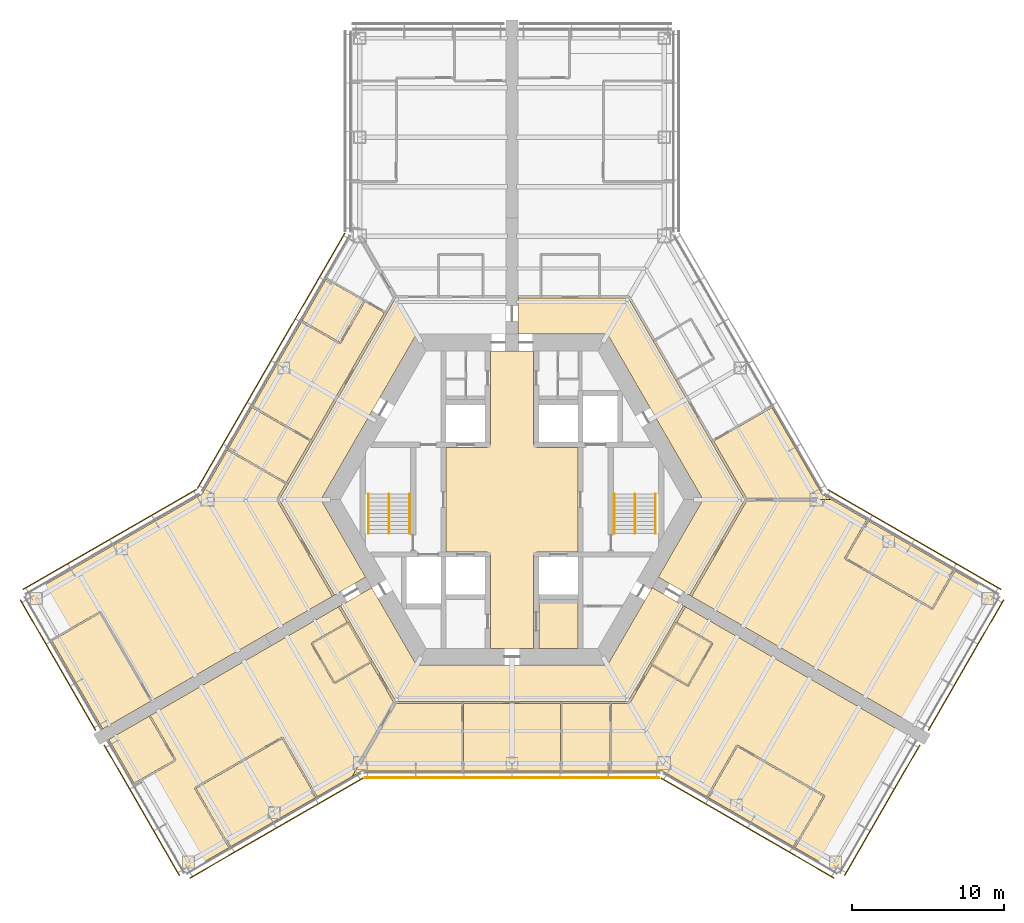
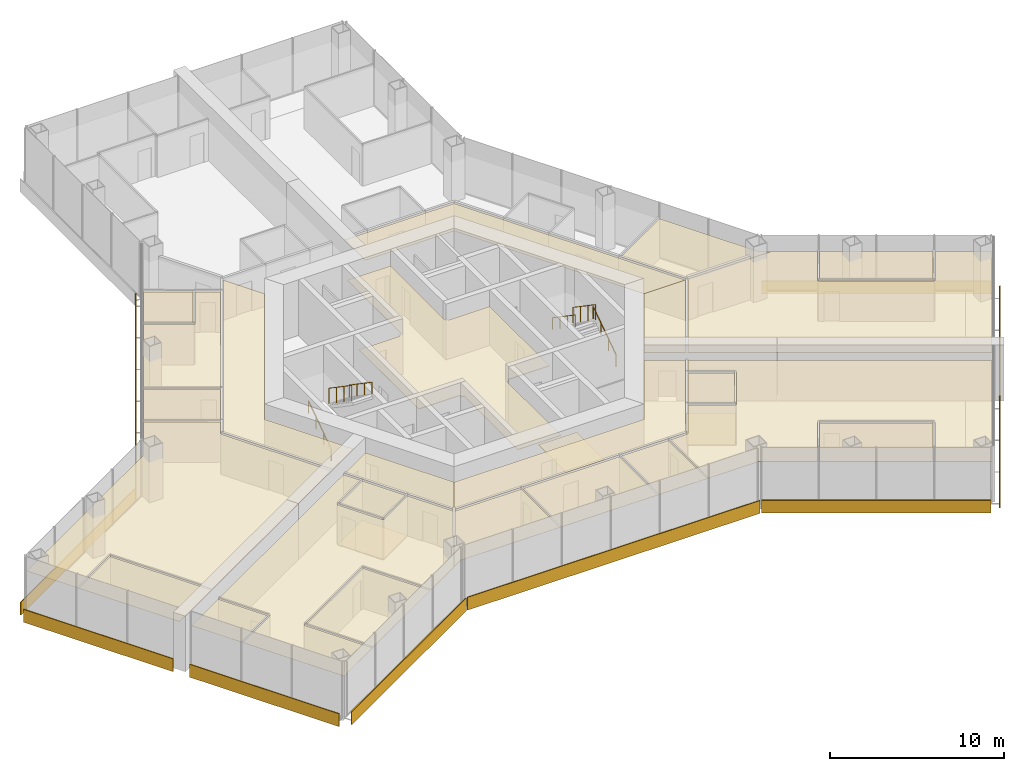
# One storey, part 18 of 19: 27 coverings, 10 shading devices, 6 railings.
"""IFC4 building model written with IfcOpenShell, lengths in metres."""

from ifc_helpers import new_model, si_unit, direction, frame, origin, origin_2d, place, context, subcontext, project, spatial, polyline, rectangle, circle, outline, extrude, material, layer, layer_set, type_object, element, save


model = new_model("IFC4")

# Units and contexts
model_context = context("Model", 3, precision=1e-05, world=origin(), true_north=direction((0.0, 1.0)))
body_context = subcontext(model_context, "Body", "Model", "MODEL_VIEW")
ifc_project = project(units=[si_unit("LENGTHUNIT", "METRE"), si_unit("AREAUNIT", "SQUARE_METRE"), si_unit("VOLUMEUNIT", "CUBIC_METRE"), si_unit("PLANEANGLEUNIT", "RADIAN"), si_unit("MASSUNIT", "GRAM", prefix="KILO")], contexts=[model_context])

# Site, building, storey
site_placement = place(None, origin())
site = spatial("IfcSite", under=ifc_project, at=site_placement, CompositionType="ELEMENT")
building_placement = place(site_placement, origin())
building = spatial("IfcBuilding", under=site, at=building_placement, Name="Kasaneha Research Tower", CompositionType="ELEMENT")
storey_placement = place(building_placement, frame((0.0, 0.0, 88.5)))
storey = spatial("IfcBuildingStorey", under=building, at=storey_placement, Name="L22", CompositionType="ELEMENT", Elevation=88.5)

# Covering
ifc_material_1 = material(Name="Aluminium panel ceiling", Category="aluminium")
ifc_layer_1 = layer(ifc_material_1, 0.0400390625)
ifc_layer_set_1 = layer_set([ifc_layer_1], Name="Lift lobby ceiling 40")
covering_type_1 = type_object("IfcCoveringType", Name="Lift lobby ceiling 40", PredefinedType="CEILING", material=ifc_layer_set_1)
covering_1_placement = place(storey_placement, frame((0.0, 0.0, 2.699951171875)))
element("IfcCovering", 1, at=covering_1_placement, inside=storey, type_object=covering_type_1, Name="Ceiling L22-01", PredefinedType="CEILING", context=body_context, shape_type="SweptSolid", body=[
    extrude(outline(polyline([(1.425048828125, 9.77490234375), (1.425048828125, 3.60009765625), (1.60009765625, 3.60009765625), (1.60009765625, 3.425048828125), (4.324951171875, 3.425048828125), (4.324951171875, -3.425048828125), (1.60009765625, -3.425048828125), (1.60009765625, -3.60009765625), (1.425048828125, -3.60009765625), (1.425048828125, -9.77490234375), (-1.425048828125, -9.77490234375), (-1.425048828125, -3.60009765625), (-1.60009765625, -3.60009765625), (-1.60009765625, -3.425048828125), (-4.324951171875, -3.425048828125), (-4.324951171875, 3.425048828125), (-1.60009765625, 3.425048828125), (-1.60009765625, 3.60009765625), (-1.425048828125, 3.60009765625), (-1.425048828125, 9.77490234375), (1.425048828125, 9.77490234375)])), origin(), (0.0, 0.0, 1.0), 0.0400390625),
])

# Railings
ifc_material_2 = material(Name="Steel", Category="steel")
railing_type_1 = type_object("IfcRailingType", Name="Stair balustrade 1100", PredefinedType="GUARDRAIL", material=ifc_material_2)
for number, where, name in (
    (2, (8.074951171875, 0.375, 2.127197265625), "Stair 1 balustrade L22"),
    (3, (-8.074951171875, 0.375, 2.127197265625), "Stair 2 balustrade L22"),
):
    element("IfcRailing", number, at=place(storey_placement, frame(where)), inside=storey, type_object=railing_type_1, Name=name, PredefinedType="GUARDRAIL", context=body_context, shape_type="SweptSolid", body=[
        extrude(circle(Radius=0.02392578125, at=origin_2d()), frame((0.0, 0.0, 1.076171875), z_axis=(0.0, -0.826240473404, 0.563317565952), x_axis=(1.0, 0.0, 0.0)), (0.0, 0.0, 1.0), 3.14697265625),
        extrude(circle(Radius=0.02099609375, at=origin_2d()), origin(), (0.0, 0.0, 1.0), 1.052001953125),
        extrude(circle(Radius=0.02099609375, at=origin_2d()), frame((0.0, -0.86669921875, 0.5908203125)), (0.0, 0.0, 1.0), 1.052001953125),
        extrude(circle(Radius=0.02099609375, at=origin_2d()), frame((0.0, -1.7333984375, 1.181884765625)), (0.0, 0.0, 1.0), 1.052001953125),
        extrude(circle(Radius=0.02099609375, at=origin_2d()), frame((0.0, -2.60009765625, 1.772705078125)), (0.0, 0.0, 1.0), 1.052001953125),
    ])
ifc_material_3 = material(Name="Steel", Category="steel")
railing_type_2 = type_object("IfcRailingType", Name="Stair handrail 850", PredefinedType="HANDRAIL", material=ifc_material_3)
railing_1_placement = place(storey_placement, frame((9.425048828125, -2.22509765625, 0.17724609375)))
element("IfcRailing", 4, at=railing_1_placement, inside=storey, type_object=railing_type_2, Name="Stair 1 handrail L22", PredefinedType="HANDRAIL", context=body_context, shape_type="SweptSolid", body=[
    extrude(circle(Radius=0.02392578125, at=origin_2d()), frame((0.0, 0.0, 0.826171875), z_axis=(0.0, 0.826240473404, 0.563317565952), x_axis=(-1.0, 0.0, 0.0)), (0.0, 0.0, 1.0), 3.14697265625),
    extrude(circle(Radius=0.02099609375, at=origin_2d()), origin(), (0.0, 0.0, 1.0), 0.802001953125),
    extrude(circle(Radius=0.02099609375, at=origin_2d()), frame((0.0, 0.86669921875, 0.5908203125)), (0.0, 0.0, 1.0), 0.802001953125),
    extrude(circle(Radius=0.02099609375, at=origin_2d()), frame((0.0, 1.7333984375, 1.181884765625)), (0.0, 0.0, 1.0), 0.802001953125),
    extrude(circle(Radius=0.02099609375, at=origin_2d()), frame((0.0, 2.60009765625, 1.772705078125)), (0.0, 0.0, 1.0), 0.802001953125),
])
railing_2_placement = place(storey_placement, frame((6.72509765625, 0.375, 2.127197265625)))
element("IfcRailing", 5, at=railing_2_placement, inside=storey, type_object=railing_type_2, Name="Stair 1 handrail L22", PredefinedType="HANDRAIL", context=body_context, shape_type="SweptSolid", body=[
    extrude(circle(Radius=0.02392578125, at=origin_2d()), frame((0.0, 0.0, 0.826171875), z_axis=(0.0, -0.826240473404, 0.563317565952), x_axis=(1.0, 0.0, 0.0)), (0.0, 0.0, 1.0), 3.14697265625),
    extrude(circle(Radius=0.02099609375, at=origin_2d()), origin(), (0.0, 0.0, 1.0), 0.802001953125),
    extrude(circle(Radius=0.02099609375, at=origin_2d()), frame((0.0, -0.86669921875, 0.5908203125)), (0.0, 0.0, 1.0), 0.802001953125),
    extrude(circle(Radius=0.02099609375, at=origin_2d()), frame((0.0, -1.7333984375, 1.181884765625)), (0.0, 0.0, 1.0), 0.802001953125),
    extrude(circle(Radius=0.02099609375, at=origin_2d()), frame((0.0, -2.60009765625, 1.772705078125)), (0.0, 0.0, 1.0), 0.802001953125),
])
railing_3_placement = place(storey_placement, frame((-9.425048828125, -2.22509765625, 0.17724609375)))
element("IfcRailing", 6, at=railing_3_placement, inside=storey, type_object=railing_type_2, Name="Stair 2 handrail L22", PredefinedType="HANDRAIL", context=body_context, shape_type="SweptSolid", body=[
    extrude(circle(Radius=0.02392578125, at=origin_2d()), frame((0.0, 0.0, 0.826171875), z_axis=(0.0, 0.826240473404, 0.563317565952), x_axis=(-1.0, 0.0, 0.0)), (0.0, 0.0, 1.0), 3.14697265625),
    extrude(circle(Radius=0.02099609375, at=origin_2d()), origin(), (0.0, 0.0, 1.0), 0.802001953125),
    extrude(circle(Radius=0.02099609375, at=origin_2d()), frame((0.0, 0.86669921875, 0.5908203125)), (0.0, 0.0, 1.0), 0.802001953125),
    extrude(circle(Radius=0.02099609375, at=origin_2d()), frame((0.0, 1.7333984375, 1.181884765625)), (0.0, 0.0, 1.0), 0.802001953125),
    extrude(circle(Radius=0.02099609375, at=origin_2d()), frame((0.0, 2.60009765625, 1.772705078125)), (0.0, 0.0, 1.0), 0.802001953125),
])
railing_4_placement = place(storey_placement, frame((-6.72509765625, 0.375, 2.127197265625)))
element("IfcRailing", 7, at=railing_4_placement, inside=storey, type_object=railing_type_2, Name="Stair 2 handrail L22", PredefinedType="HANDRAIL", context=body_context, shape_type="SweptSolid", body=[
    extrude(circle(Radius=0.02392578125, at=origin_2d()), frame((0.0, 0.0, 0.826171875), z_axis=(0.0, -0.826240473404, 0.563317565952), x_axis=(1.0, 0.0, 0.0)), (0.0, 0.0, 1.0), 3.14697265625),
    extrude(circle(Radius=0.02099609375, at=origin_2d()), origin(), (0.0, 0.0, 1.0), 0.802001953125),
    extrude(circle(Radius=0.02099609375, at=origin_2d()), frame((0.0, -0.86669921875, 0.5908203125)), (0.0, 0.0, 1.0), 0.802001953125),
    extrude(circle(Radius=0.02099609375, at=origin_2d()), frame((0.0, -1.7333984375, 1.181884765625)), (0.0, 0.0, 1.0), 0.802001953125),
    extrude(circle(Radius=0.02099609375, at=origin_2d()), frame((0.0, -2.60009765625, 1.772705078125)), (0.0, 0.0, 1.0), 0.802001953125),
])

# Coverings
ifc_material_4 = material(Name="Gypsum ceiling board", Category="gypsum")
ifc_layer_2 = layer(ifc_material_4, 0.02001953125)
ifc_layer_set_2 = layer_set([ifc_layer_2], Name="Suspended ceiling 20")
covering_type_2 = type_object("IfcCoveringType", Name="Suspended ceiling 20", PredefinedType="CEILING", material=ifc_layer_set_2)
covering_2_placement = place(storey_placement, frame((0.0, 0.0, 2.800048828125)))
element("IfcCovering", 8, at=covering_2_placement, inside=storey, type_object=covering_type_2, Name="Ceiling L22-27", PredefinedType="CEILING", context=body_context, shape_type="SweptSolid", body=[
    extrude(outline(polyline([(6.278564453125, 10.875), (0.39990234375, 10.875), (0.39990234375, 11.72509765625), (0.39990234375, 12.72509765625), (0.39990234375, 13.324951171875), (0.419921875, 13.324951171875), (0.419921875, 13.25), (1.89501953125, 13.25), (1.904541015625, 13.25), (5.75244140625, 13.25), (5.761962890625, 13.25), (7.64990234375, 13.25), (9.277099609375, 10.431640625), (9.277099609375, 10.431640625), (10.77734375, 7.8330078125), (10.77734375, 7.8330078125), (13.100341796875, 3.809814453125), (13.100341796875, 3.809814453125), (15.2998046875, 0.0), (15.2998046875, 0.0), (12.557373046875, 0.0), (6.278564453125, 10.875)])), origin(), (0.0, 0.0, 1.0), 0.02001953125),
])
covering_3_placement = place(storey_placement, frame((0.0, 0.0, 2.800048828125)))
element("IfcCovering", 9, at=covering_3_placement, inside=storey, type_object=covering_type_2, Name="Ceiling L22-30", PredefinedType="CEILING", context=body_context, shape_type="SweptSolid", body=[
    extrude(outline(polyline([(21.000244140625, -0.00048828125), (15.38671875, -0.00048828125), (15.374755859375, 0.02001953125), (15.439697265625, 0.0576171875), (13.255126953125, 3.841552734375), (17.081298828125, 6.055419921875), (20.366455078125, 0.366455078125), (21.000244140625, -0.00048828125)])), origin(), (0.0, 0.0, 1.0), 0.02001953125),
])
covering_4_placement = place(storey_placement, frame((0.0, 0.0, 2.800048828125)))
element("IfcCovering", 10, at=covering_4_placement, inside=storey, type_object=covering_type_2, Name="Ceiling L22-40", PredefinedType="CEILING", context=body_context, shape_type="SweptSolid", body=[
    extrude(outline(polyline([(-12.557373046875, 0.0), (-9.617919921875, -5.091064453125), (-11.59326171875, -6.2314453125), (-11.73974609375, -6.316162109375), (-11.749755859375, -6.298828125), (-11.684814453125, -6.26123046875), (-15.2998046875, 0.0), (-14.723876953125, 0.997802734375), (-14.7236328125, 0.997802734375), (-13.100341796875, 3.809814453125), (-13.100341796875, 3.809814453125), (-8.22607421875, 12.251708984375), (-8.226318359375, 12.251708984375), (-7.64990234375, 13.25), (-6.278564453125, 10.875), (-12.557373046875, 0.0)])), origin(), (0.0, 0.0, 1.0), 0.02001953125),
])
covering_5_placement = place(storey_placement, frame((0.0, 0.0, 2.800048828125)))
element("IfcCovering", 11, at=covering_5_placement, inside=storey, type_object=covering_type_2, Name="Ceiling L22-41", PredefinedType="CEILING", context=body_context, shape_type="SweptSolid", body=[
    extrude(outline(polyline([(-12.211669921875, 14.489990234375), (-9.749755859375, 13.06298828125), (-11.316650390625, 10.340087890625), (-13.767578125, 11.7548828125), (-13.79248046875, 11.711669921875), (-13.809814453125, 11.7216796875), (-12.211669921875, 14.489990234375)])), origin(), (0.0, 0.0, 1.0), 0.02001953125),
])
covering_6_placement = place(storey_placement, frame((0.0, 0.0, 2.800048828125)))
element("IfcCovering", 12, at=covering_6_placement, inside=storey, type_object=covering_type_2, Name="Ceiling L22-42", PredefinedType="CEILING", context=body_context, shape_type="SweptSolid", body=[
    extrude(outline(polyline([(-30.258056640625, -9.232666015625), (-30.23291015625, -9.27587890625), (-27.072021484375, -7.450927734375), (-23.740234375, -13.221435546875), (-23.697021484375, -13.196533203125), (-23.68701171875, -13.2138671875), (-26.891357421875, -15.063720703125), (-30.258056640625, -9.232666015625), (-30.258056640625, -9.232666015625)])), origin(), (0.0, 0.0, 1.0), 0.02001953125),
])
covering_7_placement = place(storey_placement, frame((0.0, 0.0, 2.800048828125)))
element("IfcCovering", 13, at=covering_7_placement, inside=storey, type_object=covering_type_2, Name="Ceiling L22-43", PredefinedType="CEILING", context=body_context, shape_type="SweptSolid", body=[
    extrude(outline(polyline([(-18.679443359375, 3.287353515625), (-17.081298828125, 6.055419921875), (-13.255126953125, 3.841552734375), (-14.823974609375, 1.1240234375), (-18.63720703125, 3.320556640625), (-18.662109375, 3.27734375), (-18.679443359375, 3.287353515625)])), origin(), (0.0, 0.0, 1.0), 0.02001953125),
])
covering_8_placement = place(storey_placement, frame((0.0, 0.0, 2.800048828125)))
element("IfcCovering", 14, at=covering_8_placement, inside=storey, type_object=covering_type_2, Name="Ceiling L22-45", PredefinedType="CEILING", context=body_context, shape_type="SweptSolid", body=[
    extrude(outline(polyline([(-27.0537109375, -7.38232421875), (-27.07861328125, -7.33935546875), (-30.282958984375, -9.189208984375), (-30.25830078125, -9.232177734375), (-30.25830078125, -9.232177734375), (-31.94140625, -6.31689453125), (-20.365966796875, 0.365966796875), (-18.6796875, 3.286865234375), (-18.662353515625, 3.27685546875), (-18.68701171875, 3.23388671875), (-14.8740234375, 1.03759765625), (-15.451416015625, 0.03759765625), (-15.38671875, 0.000244140625), (-15.38671875, -0.000244140625), (-15.38671875, -0.000244140625), (-15.451416015625, -0.03759765625), (-11.814697265625, -6.336181640625), (-11.750244140625, -6.299072265625), (-11.740234375, -6.31640625), (-18.40380859375, -10.16357421875), (-23.6865234375, -13.213623046875), (-23.696533203125, -13.1962890625), (-23.65380859375, -13.17138671875), (-27.010498046875, -7.357666015625), (-27.05322265625, -7.38232421875), (-27.053466796875, -7.38232421875), (-27.0537109375, -7.38232421875)])), origin(), (0.0, 0.0, 1.0), 0.02001953125),
])
covering_9_placement = place(storey_placement, frame((0.0, 0.0, 2.800048828125)))
element("IfcCovering", 15, at=covering_9_placement, inside=storey, type_object=covering_type_2, Name="Ceiling L22-46", PredefinedType="CEILING", context=body_context, shape_type="SweptSolid", body=[
    extrude(outline(polyline([(-11.298095703125, 10.271484375), (-11.2548828125, 10.246826171875), (-9.66064453125, 13.01708984375), (-8.381103515625, 12.283203125), (-13.205078125, 3.927978515625), (-17.03125, 6.14208984375), (-17.055908203125, 6.09912109375), (-17.055908203125, 6.09912109375), (-13.81005859375, 11.72119140625), (-13.792724609375, 11.711181640625), (-13.8173828125, 11.66845703125), (-11.3232421875, 10.228515625), (-11.298583984375, 10.271240234375), (-11.29833984375, 10.271240234375), (-11.298095703125, 10.271484375)])), origin(), (0.0, 0.0, 1.0), 0.02001953125),
])
covering_10_placement = place(storey_placement, frame((0.0, 0.0, 2.800048828125)))
element("IfcCovering", 16, at=covering_10_placement, inside=storey, type_object=covering_type_2, Name="Ceiling L22-47", PredefinedType="CEILING", context=body_context, shape_type="SweptSolid", body=[
    extrude(outline(polyline([(-7.64990234375, -13.25), (-9.177001953125, -10.604736328125), (-9.177001953125, -10.604736328125), (-10.67724609375, -8.00634765625), (-10.677490234375, -8.00634765625), (-11.264892578125, -6.98876953125), (-11.329833984375, -7.026123046875), (-11.33984375, -7.0087890625), (-9.218017578125, -5.783935546875), (-6.278564453125, -10.875), (-7.64990234375, -13.25)])), origin(), (0.0, 0.0, 1.0), 0.02001953125),
])
covering_11_placement = place(storey_placement, frame((0.0, 0.0, 2.800048828125)))
element("IfcCovering", 17, at=covering_11_placement, inside=storey, type_object=covering_type_2, Name="Ceiling L22-48", PredefinedType="CEILING", context=body_context, shape_type="SweptSolid", body=[
    extrude(outline(polyline([(-18.574951171875, -22.8486328125), (-18.5849609375, -22.831298828125), (-18.541748046875, -22.806396484375), (-20.756591796875, -18.9697265625), (-15.110595703125, -15.7099609375), (-12.885498046875, -19.563720703125), (-12.84228515625, -19.538818359375), (-12.84228515625, -19.538818359375), (-18.574951171875, -22.8486328125)])), origin(), (0.0, 0.0, 1.0), 0.02001953125),
])
covering_12_placement = place(storey_placement, frame((0.0, 0.0, 2.800048828125)))
element("IfcCovering", 18, at=covering_12_placement, inside=storey, type_object=covering_type_2, Name="Ceiling L22-49", PredefinedType="CEILING", context=body_context, shape_type="SweptSolid", body=[
    extrude(outline(polyline([(-9.33203125, -10.63671875), (-11.646484375, -11.977783203125), (-13.096435546875, -9.466552734375), (-10.777587890625, -8.132568359375), (-9.33203125, -10.63671875)])), origin(), (0.0, 0.0, 1.0), 0.02001953125),
])
covering_13_placement = place(storey_placement, frame((0.0, 0.0, 2.800048828125)))
element("IfcCovering", 19, at=covering_13_placement, inside=storey, type_object=covering_type_2, Name="Ceiling L22-50", PredefinedType="CEILING", context=body_context, shape_type="SweptSolid", body=[
    extrude(outline(polyline([(-23.806640625, -14.20654296875), (-23.796630859375, -14.223876953125), (-23.840087890625, -14.2490234375), (-22.191650390625, -17.10400390625), (-24.8330078125, -18.62890625), (-24.80810546875, -18.67236328125), (-24.80810546875, -18.67236328125), (-26.491455078125, -15.756591796875), (-23.806640625, -14.20654296875)])), origin(), (0.0, 0.0, 1.0), 0.02001953125),
])
covering_14_placement = place(storey_placement, frame((0.0, 0.0, 2.800048828125)))
element("IfcCovering", 20, at=covering_14_placement, inside=storey, type_object=covering_type_2, Name="Ceiling L22-51", PredefinedType="CEILING", context=body_context, shape_type="SweptSolid", body=[
    extrude(outline(polyline([(-13.1650390625, -9.447998046875), (-13.1650390625, -9.4482421875), (-13.2080078125, -9.47314453125), (-11.7080078125, -12.0712890625), (-11.6650390625, -12.04638671875), (-11.6650390625, -12.04638671875), (-11.664794921875, -12.046142578125), (-11.6396484375, -12.08935546875), (-9.281982421875, -10.72314453125), (-7.76953125, -13.342529296875), (-7.705078125, -13.30517578125), (-7.693359375, -13.325439453125), (-10.5, -18.1865234375), (-12.841796875, -19.53857421875), (-12.841796875, -19.53857421875), (-12.798828125, -19.513916015625), (-15.048828125, -15.61669921875), (-15.092041015625, -15.6416015625), (-15.09228515625, -15.64111328125), (-15.092529296875, -15.641357421875), (-15.1171875, -15.598388671875), (-20.85009765625, -18.908203125), (-20.824951171875, -18.951416015625), (-20.868408203125, -18.9765625), (-18.62841796875, -22.856201171875), (-18.58544921875, -22.83154296875), (-18.575439453125, -22.848876953125), (-21.44140625, -24.50341796875), (-24.782958984375, -18.715576171875), (-22.098388671875, -17.16552734375), (-22.123046875, -17.12255859375), (-22.122802734375, -17.122314453125), (-22.123046875, -17.1220703125), (-22.080078125, -17.097412109375), (-23.75341796875, -14.198974609375), (-23.796142578125, -14.2236328125), (-23.80615234375, -14.206298828125), (-11.34033203125, -7.00927734375), (-11.330322265625, -7.0263671875), (-11.394775390625, -7.063720703125), (-10.82763671875, -8.046142578125), (-13.189697265625, -9.40478515625), (-13.164794921875, -9.447998046875), (-13.1650390625, -9.447998046875)])), origin(), (0.0, 0.0, 1.0), 0.02001953125),
])
covering_15_placement = place(storey_placement, frame((0.0, 0.0, 2.800048828125)))
element("IfcCovering", 21, at=covering_15_placement, inside=storey, type_object=covering_type_2, Name="Ceiling L22-52", PredefinedType="CEILING", context=body_context, shape_type="SweptSolid", body=[
    extrude(outline(polyline([(9.617919921875, -5.091064453125), (12.557373046875, 0.0), (15.2998046875, 0.0), (11.684814453125, -6.26123046875), (11.749755859375, -6.298828125), (11.73974609375, -6.316162109375), (11.59326171875, -6.2314453125), (9.617919921875, -5.091064453125)])), origin(), (0.0, 0.0, 1.0), 0.02001953125),
])
covering_16_placement = place(storey_placement, frame((0.0, 0.0, 2.800048828125)))
element("IfcCovering", 22, at=covering_16_placement, inside=storey, type_object=covering_type_2, Name="Ceiling L22-53", PredefinedType="CEILING", context=body_context, shape_type="SweptSolid", body=[
    extrude(outline(polyline([(29.03173828125, -4.63720703125), (27.606689453125, -7.105224609375), (21.96044921875, -3.845458984375), (23.37548828125, -1.39453125), (23.332275390625, -1.36962890625), (23.34228515625, -1.352294921875), (29.03173828125, -4.63720703125)])), origin(), (0.0, 0.0, 1.0), 0.02001953125),
])
covering_17_placement = place(storey_placement, frame((0.0, 0.0, 2.800048828125)))
element("IfcCovering", 23, at=covering_17_placement, inside=storey, type_object=covering_type_2, Name="Ceiling L22-54", PredefinedType="CEILING", context=body_context, shape_type="SweptSolid", body=[
    extrude(outline(polyline([(21.0, 0.0), (23.341796875, -1.35205078125), (23.331787109375, -1.369384765625), (23.288818359375, -1.344482421875), (21.848876953125, -3.8388671875), (21.89208984375, -3.86376953125), (21.891845703125, -3.8642578125), (21.89208984375, -3.8642578125), (21.8671875, -3.906982421875), (27.60009765625, -7.216796875), (27.624755859375, -7.174072265625), (27.624755859375, -7.174072265625), (27.625, -7.173583984375), (27.668212890625, -7.198486328125), (29.118408203125, -4.68701171875), (31.94140625, -6.31689453125), (26.891357421875, -15.063720703125), (20.037841796875, -11.10693359375), (11.740234375, -6.31640625), (11.750244140625, -6.299072265625), (11.814697265625, -6.336181640625), (15.439697265625, -0.0576171875), (15.375244140625, -0.020263671875), (15.386962890625, 0.0), (21.0, 0.0)])), origin(), (0.0, 0.0, 1.0), 0.02001953125),
])
covering_18_placement = place(storey_placement, frame((0.0, 0.0, 2.800048828125)))
element("IfcCovering", 24, at=covering_18_placement, inside=storey, type_object=covering_type_2, Name="Ceiling L22-55", PredefinedType="CEILING", context=body_context, shape_type="SweptSolid", body=[
    extrude(outline(polyline([(-6.278564453125, -10.875), (6.278564453125, -10.875), (9.218017578125, -5.783935546875), (11.33984375, -7.0087890625), (11.329833984375, -7.026123046875), (11.264892578125, -6.98876953125), (10.677490234375, -8.00634765625), (10.67724609375, -8.00634765625), (9.0771484375, -10.778076171875), (9.0771484375, -10.778076171875), (7.64990234375, -13.25), (6.497802734375, -13.25), (6.48828125, -13.25), (3.2509765625, -13.25), (3.241455078125, -13.25), (-3.241455078125, -13.25), (-3.2509765625, -13.25), (-7.64990234375, -13.25), (-7.64990234375, -13.25), (-6.278564453125, -10.875)])), origin(), (0.0, 0.0, 1.0), 0.02001953125),
])
covering_19_placement = place(storey_placement, frame((0.0, 0.0, 2.800048828125)))
element("IfcCovering", 25, at=covering_19_placement, inside=storey, type_object=covering_type_2, Name="Ceiling L22-56", PredefinedType="CEILING", context=body_context, shape_type="SweptSolid", body=[
    extrude(outline(polyline([(9.23193359375, -10.809814453125), (10.777587890625, -8.132568359375), (13.096435546875, -9.466552734375), (11.54638671875, -12.151123046875), (9.23193359375, -10.809814453125)])), origin(), (0.0, 0.0, 1.0), 0.02001953125),
])
covering_20_placement = place(storey_placement, frame((0.0, 0.0, 2.800048828125)))
element("IfcCovering", 26, at=covering_20_placement, inside=storey, type_object=covering_type_2, Name="Ceiling L22-57", PredefinedType="CEILING", context=body_context, shape_type="SweptSolid", body=[
    extrude(outline(polyline([(-10.50048828125, -18.1865234375), (-7.693603515625, -13.324951171875), (-7.670166015625, -13.324951171875), (-7.670166015625, -13.39990234375), (-3.30078125, -13.39990234375), (-3.29638671875, -17.800537109375), (-3.246337890625, -17.800537109375), (-3.246337890625, -17.820556640625), (-9.865966796875, -17.821044921875), (-10.50048828125, -18.1865234375)])), origin(), (0.0, 0.0, 1.0), 0.02001953125),
])
covering_21_placement = place(storey_placement, frame((0.0, 0.0, 2.800048828125)))
element("IfcCovering", 27, at=covering_21_placement, inside=storey, type_object=covering_type_2, Name="Ceiling L22-58", PredefinedType="CEILING", context=body_context, shape_type="SweptSolid", body=[
    extrude(outline(polyline([(3.246337890625, -17.800537109375), (3.29638671875, -17.800537109375), (3.30078125, -13.39990234375), (6.4384765625, -13.39990234375), (6.44287109375, -17.800537109375), (6.492919921875, -17.800537109375), (6.492919921875, -17.820556640625), (3.246337890625, -17.820556640625), (3.246337890625, -17.800537109375)])), origin(), (0.0, 0.0, 1.0), 0.02001953125),
])
covering_22_placement = place(storey_placement, frame((0.0, 0.0, 2.800048828125)))
element("IfcCovering", 28, at=covering_22_placement, inside=storey, type_object=covering_type_2, Name="Ceiling L22-59", PredefinedType="CEILING", context=body_context, shape_type="SweptSolid", body=[
    extrude(outline(polyline([(12.84228515625, -19.538818359375), (12.84228515625, -19.538818359375), (12.885498046875, -19.563720703125), (14.810546875, -16.2294921875), (20.456787109375, -19.489501953125), (18.541748046875, -22.806396484375), (18.5849609375, -22.831298828125), (18.574951171875, -22.8486328125), (12.84228515625, -19.538818359375)])), origin(), (0.0, 0.0, 1.0), 0.02001953125),
])
covering_23_placement = place(storey_placement, frame((0.0, 0.0, 2.800048828125)))
element("IfcCovering", 29, at=covering_23_placement, inside=storey, type_object=covering_type_2, Name="Ceiling L22-60", PredefinedType="CEILING", context=body_context, shape_type="SweptSolid", body=[
    extrude(outline(polyline([(7.693603515625, -13.325439453125), (7.693603515625, -13.3251953125), (7.758056640625, -13.362548828125), (9.181884765625, -10.896484375), (11.53955078125, -12.2626953125), (11.564453125, -12.2197265625), (11.56494140625, -12.219970703125), (11.56494140625, -12.2197265625), (11.60791015625, -12.244384765625), (13.2080078125, -9.47314453125), (13.164794921875, -9.447998046875), (13.189697265625, -9.40478515625), (10.82763671875, -8.046142578125), (11.394775390625, -7.063720703125), (11.330322265625, -7.0263671875), (11.34033203125, -7.00927734375), (26.491455078125, -15.756591796875), (21.44140625, -24.50341796875), (18.575439453125, -22.848876953125), (18.58544921875, -22.83154296875), (18.62841796875, -22.856201171875), (20.568359375, -19.49609375), (20.525146484375, -19.47119140625), (20.525390625, -19.470703125), (20.525146484375, -19.470703125), (20.550048828125, -19.427734375), (14.817138671875, -16.117919921875), (14.79248046875, -16.160888671875), (14.79248046875, -16.160888671875), (14.792236328125, -16.161376953125), (14.748779296875, -16.13623046875), (12.798828125, -19.513916015625), (12.841796875, -19.53857421875), (12.841796875, -19.53857421875), (9.865966796875, -17.820556640625), (6.493408203125, -17.820556640625), (6.493408203125, -17.800537109375), (6.542724609375, -17.800537109375), (6.538330078125, -13.39990234375), (7.693115234375, -13.39990234375), (7.693115234375, -13.325439453125), (7.693603515625, -13.325439453125)])), origin(), (0.0, 0.0, 1.0), 0.02001953125),
])
covering_24_placement = place(storey_placement, frame((0.0, 0.0, 2.800048828125)))
element("IfcCovering", 30, at=covering_24_placement, inside=storey, type_object=covering_type_2, Name="Ceiling L22-61", PredefinedType="CEILING", context=body_context, shape_type="SweptSolid", body=[
    extrude(outline(polyline([(3.245849609375, -17.820556640625), (-3.245849609375, -17.820556640625), (-3.245849609375, -17.800537109375), (-3.1962890625, -17.800537109375), (-3.200927734375, -13.39990234375), (3.200927734375, -13.39990234375), (3.1962890625, -17.800537109375), (3.245849609375, -17.800537109375), (3.245849609375, -17.820556640625)])), origin(), (0.0, 0.0, 1.0), 0.02001953125),
])

# Shading devices
ifc_material_5 = material(Name="Terracotta", Category="masonry")
ifc_layer_3 = layer(ifc_material_5, 0.06005859375)
ifc_layer_set_3 = layer_set([ifc_layer_3], Name="Terracotta baguette screen")
shading_device_type = type_object("IfcShadingDeviceType", Name="Terracotta baguette screen", PredefinedType="USERDEFINED", material=ifc_layer_set_3)
shading_device_1_placement = place(storey_placement, frame((-15.483642578125, -21.58349609375, -0.449951171875), z_axis=(0.0, 0.0, 1.0), x_axis=(0.866025411464, 0.499999986699, 0.0)))
element("IfcShadingDevice", 31, at=shading_device_1_placement, inside=storey, type_object=shading_device_type, Name="Baguette screen L22 01", ObjectType="TERRACOTTA BAGUETTE SCREEN", PredefinedType="USERDEFINED", context=body_context, shape_type="SweptSolid", body=[
    extrude(rectangle(XDim=13.13916015625, YDim=0.06005859375, at=origin_2d()), origin(), (0.0, 0.0, 1.0), 0.89990234375),
])
shading_device_2_placement = place(storey_placement, frame((0.0, -18.2705078125, -0.449951171875), z_axis=(0.0, 0.0, 1.0), x_axis=(1.0, 0.0, 0.0)))
element("IfcShadingDevice", 32, at=shading_device_2_placement, inside=storey, type_object=shading_device_type, Name="Baguette screen L22 02", ObjectType="TERRACOTTA BAGUETTE SCREEN", PredefinedType="USERDEFINED", context=body_context, shape_type="SweptSolid", body=[
    extrude(rectangle(XDim=19.37841796875, YDim=0.06005859375, at=origin_2d()), origin(), (0.0, 0.0, 1.0), 0.89990234375),
])
shading_device_3_placement = place(storey_placement, frame((15.483642578125, -21.58349609375, -0.449951171875), z_axis=(0.0, 0.0, 1.0), x_axis=(0.866025411464, -0.499999986699, 0.0)))
element("IfcShadingDevice", 33, at=shading_device_3_placement, inside=storey, type_object=shading_device_type, Name="Baguette screen L22 03", ObjectType="TERRACOTTA BAGUETTE SCREEN", PredefinedType="USERDEFINED", context=body_context, shape_type="SweptSolid", body=[
    extrude(rectangle(XDim=13.13916015625, YDim=0.06005859375, at=origin_2d()), origin(), (0.0, 0.0, 1.0), 0.89990234375),
])
for number, where, z_axis, x_axis, name in (
    (34, (24.3310546875, -20.3984375, -0.449951171875), (0.0, 0.0, 1.0), (0.500000011442, 0.866025397178, 0.0), "Baguette screen L22 04"),
    (35, (29.8310546875, -10.8720703125, -0.449951171875), (0.0, 0.0, 1.0), (0.500000011442, 0.866025397178, 0.0), "Baguette screen L22 05"),
):
    element("IfcShadingDevice", number, at=place(storey_placement, frame(where, z_axis=z_axis, x_axis=x_axis)), inside=storey, type_object=shading_device_type, Name=name, ObjectType="TERRACOTTA BAGUETTE SCREEN", PredefinedType="USERDEFINED", context=body_context, shape_type="SweptSolid", body=[
        extrude(rectangle(XDim=9.89990234375, YDim=0.06005859375, at=origin_2d()), origin(), (0.0, 0.0, 1.0), 0.89990234375),
    ])
shading_device_4_placement = place(storey_placement, frame((26.43359375, -2.617431640625, -0.449951171875), z_axis=(0.0, 0.0, 1.0), x_axis=(-0.866025411464, 0.499999986699, 0.0)))
element("IfcShadingDevice", 36, at=shading_device_4_placement, inside=storey, type_object=shading_device_type, Name="Baguette screen L22 06", ObjectType="TERRACOTTA BAGUETTE SCREEN", PredefinedType="USERDEFINED", context=body_context, shape_type="SweptSolid", body=[
    extrude(rectangle(XDim=13.13916015625, YDim=0.06005859375, at=origin_2d()), origin(), (0.0, 0.0, 1.0), 0.89990234375),
])
shading_device_5_placement = place(storey_placement, frame((-15.82275390625, 9.13525390625, -0.449951171875), z_axis=(0.0, 0.0, 1.0), x_axis=(-0.49999996188, -0.866025425793, 0.0)))
element("IfcShadingDevice", 37, at=shading_device_5_placement, inside=storey, type_object=shading_device_type, Name="Baguette screen L22 12", ObjectType="TERRACOTTA BAGUETTE SCREEN", PredefinedType="USERDEFINED", context=body_context, shape_type="SweptSolid", body=[
    extrude(rectangle(XDim=19.37841796875, YDim=0.06005859375, at=origin_2d()), origin(), (0.0, 0.0, 1.0), 0.89990234375),
])
shading_device_6_placement = place(storey_placement, frame((-26.43359375, -2.617431640625, -0.449951171875), z_axis=(0.0, 0.0, 1.0), x_axis=(-0.866025411464, -0.499999986699, 0.0)))
element("IfcShadingDevice", 38, at=shading_device_6_placement, inside=storey, type_object=shading_device_type, Name="Baguette screen L22 13", ObjectType="TERRACOTTA BAGUETTE SCREEN", PredefinedType="USERDEFINED", context=body_context, shape_type="SweptSolid", body=[
    extrude(rectangle(XDim=13.13916015625, YDim=0.06005859375, at=origin_2d()), origin(), (0.0, 0.0, 1.0), 0.89990234375),
])
for number, where, z_axis, x_axis, name in (
    (39, (-29.8310546875, -10.8720703125, -0.449951171875), (0.0, 0.0, 1.0), (0.500000011442, -0.866025397178, 0.0), "Baguette screen L22 14"),
    (40, (-24.3310546875, -20.3984375, -0.449951171875), (0.0, 0.0, 1.0), (0.500000011442, -0.866025397178, 0.0), "Baguette screen L22 15"),
):
    element("IfcShadingDevice", number, at=place(storey_placement, frame(where, z_axis=z_axis, x_axis=x_axis)), inside=storey, type_object=shading_device_type, Name=name, ObjectType="TERRACOTTA BAGUETTE SCREEN", PredefinedType="USERDEFINED", context=body_context, shape_type="SweptSolid", body=[
        extrude(rectangle(XDim=9.89990234375, YDim=0.06005859375, at=origin_2d()), origin(), (0.0, 0.0, 1.0), 0.89990234375),
    ])

# Coverings
ifc_material_6 = material(Name="Vinyl sheet flooring", Category="plastic")
ifc_layer_4 = layer(ifc_material_6, 0.0048828125)
ifc_layer_set_4 = layer_set([ifc_layer_4], Name="Wet room sheet flooring 5")
covering_type_3 = type_object("IfcCoveringType", Name="Wet room sheet flooring 5", PredefinedType="FLOORING", material=ifc_layer_set_4)
covering_25_placement = place(storey_placement, origin())
element("IfcCovering", 41, at=covering_25_placement, inside=storey, type_object=covering_type_3, Name="Floor finish L22-13", PredefinedType="FLOORING", context=body_context, shape_type="SweptSolid", body=[
    extrude(outline(polyline([(1.77490234375, -9.77490234375), (1.77490234375, -6.574951171875), (4.324951171875, -6.574951171875), (4.324951171875, -9.77490234375), (1.77490234375, -9.77490234375)])), origin(), (0.0, 0.0, 1.0), 0.0048828125),
])
covering_26_placement = place(storey_placement, origin())
element("IfcCovering", 42, at=covering_26_placement, inside=storey, type_object=covering_type_3, Name="Floor finish L22-49", PredefinedType="FLOORING", context=body_context, shape_type="SweptSolid", body=[
    extrude(outline(polyline([(-11.66455078125, -12.046142578125), (-13.16455078125, -9.4482421875), (-10.73974609375, -8.048095703125), (-9.23974609375, -10.646240234375), (-11.66455078125, -12.046142578125)])), origin(), (0.0, 0.0, 1.0), 0.0048828125),
])
covering_27_placement = place(storey_placement, origin())
element("IfcCovering", 43, at=covering_27_placement, inside=storey, type_object=covering_type_3, Name="Floor finish L22-56", PredefinedType="FLOORING", context=body_context, shape_type="SweptSolid", body=[
    extrude(outline(polyline([(13.16455078125, -9.4482421875), (11.564697265625, -12.219482421875), (9.139892578125, -10.8193359375), (10.73974609375, -8.048095703125), (13.16455078125, -9.4482421875)])), origin(), (0.0, 0.0, 1.0), 0.0048828125),
])

save(model, "model.ifc")
